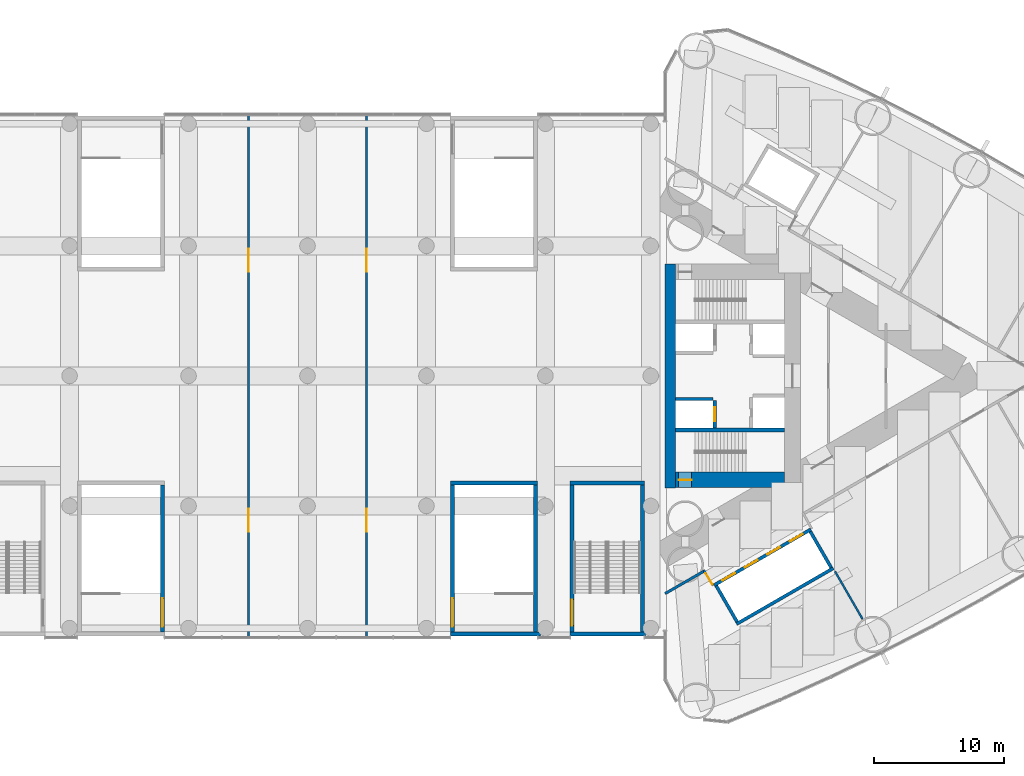
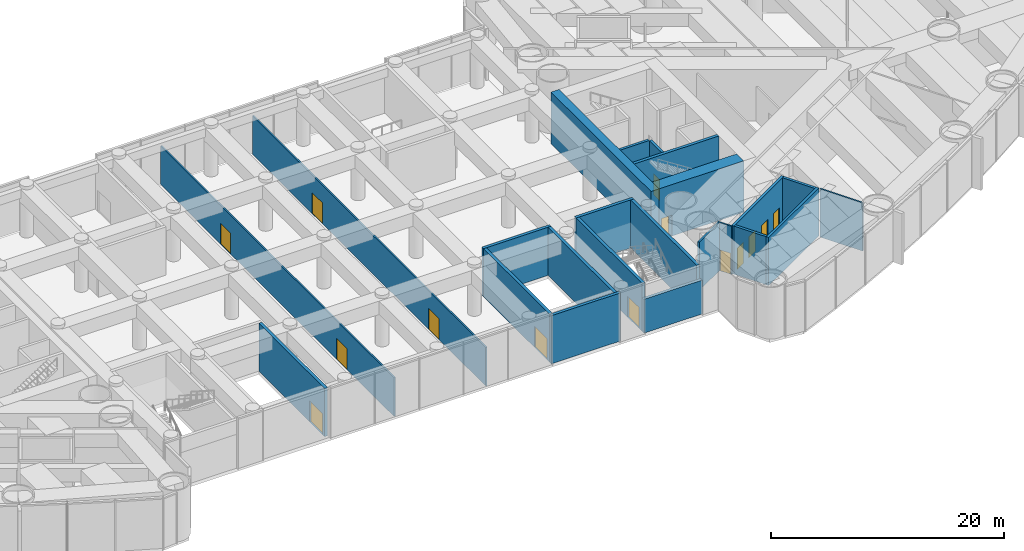
# One storey, part 16 of 20: 23 walls, 14 doors, 14 openings.
"""IFC4 building model written with IfcOpenShell, lengths in metres."""

from ifc_helpers import new_model, si_unit, direction, frame, frame_2d, origin, place, context, subcontext, project, spatial, rectangle, extrude, material, layer, layer_set, type_object, element, fill, save


model = new_model("IFC4")

# Units and contexts
model_context = context("Model", 3, precision=1e-05, world=origin(), true_north=direction((0.0, 1.0)))
body_context = subcontext(model_context, "Body", "Model", "MODEL_VIEW")
ifc_project = project(units=[si_unit("LENGTHUNIT", "METRE"), si_unit("AREAUNIT", "SQUARE_METRE"), si_unit("VOLUMEUNIT", "CUBIC_METRE"), si_unit("PLANEANGLEUNIT", "RADIAN"), si_unit("MASSUNIT", "GRAM", prefix="KILO")], contexts=[model_context])

# Site, building, storey
site_placement = place(None, origin())
site = spatial("IfcSite", under=ifc_project, at=site_placement, CompositionType="ELEMENT")
building_placement = place(site_placement, origin())
building = spatial("IfcBuilding", under=site, at=building_placement, Name="Lancet Gate Hotel", CompositionType="ELEMENT")
storey_placement = place(building_placement, frame((0.0, 0.0, 7.199951171875)))
storey = spatial("IfcBuildingStorey", under=building, at=storey_placement, Name="L01", CompositionType="ELEMENT", Elevation=7.199951171875)

# Wall, opening, door
ifc_material_1 = material(Name="Concrete C70/85", Category="concrete")
ifc_layer_1 = layer(ifc_material_1, 1.199951171875)
ifc_layer_set_1 = layer_set([ifc_layer_1], Name="Core wall 1200")
wall_type_1 = type_object("IfcWallType", Name="Core wall 1200", PredefinedType="SHEAR", material=ifc_layer_set_1)
wall_1_placement = place(storey_placement, frame((28.300048828125, -8.0, 0.0), z_axis=(0.0, 0.0, 1.0), x_axis=(1.0, 0.0, 0.0)))
wall_1 = element("IfcWall", 1, at=wall_1_placement, inside=storey, type_object=wall_type_1, Name="T2 core wall side-S L01", PredefinedType="SHEAR", context=body_context, shape_type="SweptSolid", body=[
    extrude(rectangle(XDim=8.39990234375, YDim=1.199951171875, at=frame_2d((4.199951171875, 0.0))), origin(), (0.0, 0.0, 1.0), 5.400146484375),
])
opening_1_placement = place(wall_1_placement, frame((0.25, 0.0, 0.0)))
opening_1 = element("IfcOpeningElement", 2, at=opening_1_placement, cuts=wall_1, Name="Opening T2-L01-ST1", PredefinedType="OPENING", context=body_context, shape_type="SweptSolid", body=[
    extrude(rectangle(XDim=1.0, YDim=2.199951171875, at=frame_2d((0.5, 1.10009765625))), frame((0.0, 0.60986328125, 0.0), z_axis=(0.0, -1.0, 0.0), x_axis=(1.0, 0.0, 0.0)), (0.0, 0.0, 1.0), 1.219970703125),
])
ifc_material_2 = material(Name="Timber door set", Category="wood")
door_type_1 = type_object("IfcDoorType", Name="Stair door 1000", OperationType="SINGLE_SWING_RIGHT", PredefinedType="DOOR", material=ifc_material_2)
door_1_placement = place(opening_1_placement, origin())
door_1 = element("IfcDoor", 3, at=door_1_placement, inside=storey, type_object=door_type_1, Name="T2-L01-ST1", OperationType="SINGLE_SWING_RIGHT", OverallHeight=2.199951171875, OverallWidth=1.0, PredefinedType="DOOR", context=body_context, shape_type="SweptSolid", body=[
    extrude(rectangle(XDim=1.0, YDim=2.199951171875, at=frame_2d((0.5, 1.10009765625))), frame((0.0, 0.02490234375, 0.0), z_axis=(0.0, -1.0, 0.0), x_axis=(1.0, 0.0, 0.0)), (0.0, 0.0, 1.0), 0.050048828125),
])
fill(opening_1, door_1)

# Walls
ifc_material_3 = material(Name="Concrete C70/85", Category="concrete")
ifc_layer_2 = layer(ifc_material_3, 0.800048828125)
ifc_layer_set_2 = layer_set([ifc_layer_2], Name="Core wall 800")
wall_type_2 = type_object("IfcWallType", Name="Core wall 800", PredefinedType="SHEAR", material=ifc_layer_set_2)
wall_2_placement = place(storey_placement, frame((27.89990234375, -8.60009765625, 0.0), z_axis=(0.0, 0.0, 1.0), x_axis=(0.0, 1.0, 0.0)))
element("IfcWall", 4, at=wall_2_placement, inside=storey, type_object=wall_type_2, Name="T2 core wall front L01", PredefinedType="SHEAR", context=body_context, shape_type="SweptSolid", body=[
    extrude(rectangle(XDim=17.2001953125, YDim=0.800048828125, at=frame_2d((8.60009765625, 0.0))), origin(), (0.0, 0.0, 1.0), 5.400146484375),
])
ifc_material_4 = material(Name="Gypsum board partition")
ifc_layer_3 = layer(ifc_material_4, 0.199951171875)
ifc_layer_set_3 = layer_set([ifc_layer_3], Name="Corridor wall 200")
wall_type_3 = type_object("IfcWallType", Name="Corridor wall 200", PredefinedType="PARTITIONING", material=ifc_layer_set_3)
wall_3_placement = place(storey_placement, frame((27.5, -16.744384765625, 0.0), z_axis=(0.0, 0.0, 1.0), x_axis=(0.866034395887, 0.499984424899, 0.0)))
element("IfcWall", 5, at=wall_3_placement, inside=storey, type_object=wall_type_3, Name="T2 corridor wall 200 L01", PredefinedType="PARTITIONING", context=body_context, shape_type="SweptSolid", body=[
    extrude(rectangle(XDim=3.46875, YDim=0.199951171875, at=frame_2d((1.734375, 0.0))), origin(), (0.0, 0.0, 1.0), 5.050048828125),
])

# Wall, openings, doors
ifc_material_5 = material(Name="Gypsum board partition")
ifc_layer_4 = layer(ifc_material_5, 0.25)
ifc_layer_set_4 = layer_set([ifc_layer_4], Name="Lift shaft partition 250")
wall_type_4 = type_object("IfcWallType", Name="Lift shaft partition 250", PredefinedType="PARTITIONING", material=ifc_layer_set_4)
wall_4_placement = place(storey_placement, frame((31.2705078125, -16.09716796875, 0.0), z_axis=(0.0, 0.0, 1.0), x_axis=(0.86604045752, 0.499973925258, 0.0)))
wall_4 = element("IfcWall", 6, at=wall_4_placement, inside=storey, type_object=wall_type_4, Name="T2 lift shaft wall LR L01", PredefinedType="PARTITIONING", context=body_context, shape_type="SweptSolid", body=[
    extrude(rectangle(XDim=8.60009765625, YDim=0.25, at=frame_2d((4.300048828125, 0.0))), origin(), (0.0, 0.0, 1.0), 5.050048828125),
])
opening_2_placement = place(wall_4_placement, frame((0.75, 0.0, 0.0)))
opening_2 = element("IfcOpeningElement", 7, at=opening_2_placement, cuts=wall_4, Name="Opening T2-LR1-L01", PredefinedType="OPENING", context=body_context, shape_type="SweptSolid", body=[
    extrude(rectangle(XDim=1.10009765625, YDim=2.199951171875, at=frame_2d((0.550048828125, 1.10009765625))), frame((0.0, 0.135009765625, 0.0), z_axis=(0.0, -1.0, 0.0), x_axis=(1.0, 0.0, 0.0)), (0.0, 0.0, 1.0), 0.27001953125),
])
opening_3_placement = place(wall_4_placement, frame((2.75, 0.0, 0.0)))
opening_3 = element("IfcOpeningElement", 8, at=opening_3_placement, cuts=wall_4, Name="Opening T2-LR2-L01", PredefinedType="OPENING", context=body_context, shape_type="SweptSolid", body=[
    extrude(rectangle(XDim=1.10009765625, YDim=2.199951171875, at=frame_2d((0.550048828125, 1.10009765625))), frame((0.0, 0.135009765625, 0.0), z_axis=(0.0, -1.0, 0.0), x_axis=(1.0, 0.0, 0.0)), (0.0, 0.0, 1.0), 0.27001953125),
])
opening_4_placement = place(wall_4_placement, frame((4.75, 0.0, 0.0)))
opening_4 = element("IfcOpeningElement", 9, at=opening_4_placement, cuts=wall_4, Name="Opening T2-LR3-L01", PredefinedType="OPENING", context=body_context, shape_type="SweptSolid", body=[
    extrude(rectangle(XDim=1.10009765625, YDim=2.199951171875, at=frame_2d((0.550048828125, 1.10009765625))), frame((0.0, 0.135009765625, 0.0), z_axis=(0.0, -1.0, 0.0), x_axis=(1.0, 0.0, 0.0)), (0.0, 0.0, 1.0), 0.27001953125),
])
opening_5_placement = place(wall_4_placement, frame((6.75, 0.0, 0.0)))
opening_5 = element("IfcOpeningElement", 10, at=opening_5_placement, cuts=wall_4, Name="Opening T2-LR4-L01", PredefinedType="OPENING", context=body_context, shape_type="SweptSolid", body=[
    extrude(rectangle(XDim=1.10009765625, YDim=2.199951171875, at=frame_2d((0.550048828125, 1.10009765625))), frame((0.0, 0.135009765625, 0.0), z_axis=(0.0, -1.0, 0.0), x_axis=(1.0, 0.0, 0.0)), (0.0, 0.0, 1.0), 0.27001953125),
])
ifc_material_6 = material(Name="Steel door set", Category="steel")
door_type_2 = type_object("IfcDoorType", Name="Lift landing door 1100", OperationType="DOUBLE_DOOR_SLIDING", PredefinedType="USERDEFINED", material=ifc_material_6)
door_2_placement = place(opening_2_placement, origin())
door_2 = element("IfcDoor", 11, at=door_2_placement, inside=storey, type_object=door_type_2, Name="T2-LR1-L01", ObjectType="LIFT LANDING DOOR", OperationType="DOUBLE_DOOR_SLIDING", OverallHeight=2.199951171875, OverallWidth=1.10009765625, PredefinedType="USERDEFINED", context=body_context, shape_type="SweptSolid", body=[
    extrude(rectangle(XDim=1.10009765625, YDim=2.199951171875, at=frame_2d((0.550048828125, 1.10009765625))), frame((0.0, 0.02490234375, 0.0), z_axis=(0.0, -1.0, 0.0), x_axis=(1.0, 0.0, 0.0)), (0.0, 0.0, 1.0), 0.050048828125),
])
fill(opening_2, door_2)
door_3_placement = place(opening_3_placement, origin())
door_3 = element("IfcDoor", 12, at=door_3_placement, inside=storey, type_object=door_type_2, Name="T2-LR2-L01", ObjectType="LIFT LANDING DOOR", OperationType="DOUBLE_DOOR_SLIDING", OverallHeight=2.199951171875, OverallWidth=1.10009765625, PredefinedType="USERDEFINED", context=body_context, shape_type="SweptSolid", body=[
    extrude(rectangle(XDim=1.10009765625, YDim=2.199951171875, at=frame_2d((0.550048828125, 1.10009765625))), frame((0.0, 0.02490234375, 0.0), z_axis=(0.0, -1.0, 0.0), x_axis=(1.0, 0.0, 0.0)), (0.0, 0.0, 1.0), 0.050048828125),
])
fill(opening_3, door_3)
door_4_placement = place(opening_4_placement, origin())
door_4 = element("IfcDoor", 13, at=door_4_placement, inside=storey, type_object=door_type_2, Name="T2-LR3-L01", ObjectType="LIFT LANDING DOOR", OperationType="DOUBLE_DOOR_SLIDING", OverallHeight=2.199951171875, OverallWidth=1.10009765625, PredefinedType="USERDEFINED", context=body_context, shape_type="SweptSolid", body=[
    extrude(rectangle(XDim=1.10009765625, YDim=2.199951171875, at=frame_2d((0.550048828125, 1.10009765625))), frame((0.0, 0.02490234375, 0.0), z_axis=(0.0, -1.0, 0.0), x_axis=(1.0, 0.0, 0.0)), (0.0, 0.0, 1.0), 0.050048828125),
])
fill(opening_4, door_4)
door_5_placement = place(opening_5_placement, origin())
door_5 = element("IfcDoor", 14, at=door_5_placement, inside=storey, type_object=door_type_2, Name="T2-LR4-L01", ObjectType="LIFT LANDING DOOR", OperationType="DOUBLE_DOOR_SLIDING", OverallHeight=2.199951171875, OverallWidth=1.10009765625, PredefinedType="USERDEFINED", context=body_context, shape_type="SweptSolid", body=[
    extrude(rectangle(XDim=1.10009765625, YDim=2.199951171875, at=frame_2d((0.550048828125, 1.10009765625))), frame((0.0, 0.02490234375, 0.0), z_axis=(0.0, -1.0, 0.0), x_axis=(1.0, 0.0, 0.0)), (0.0, 0.0, 1.0), 0.050048828125),
])
fill(opening_5, door_5)

# Walls
wall_5_placement = place(storey_placement, frame((32.99560546875, -19.085693359375, 0.0), z_axis=(0.0, 0.0, 1.0), x_axis=(0.866028165386, 0.499995216735, 0.0)))
element("IfcWall", 15, at=wall_5_placement, inside=storey, type_object=wall_type_4, Name="T2 lift shaft wall LR L01", PredefinedType="PARTITIONING", context=body_context, shape_type="SweptSolid", body=[
    extrude(rectangle(XDim=8.60009765625, YDim=0.25, at=frame_2d((4.300048828125, 0.0))), origin(), (0.0, 0.0, 1.0), 5.050048828125),
])
for number, where, z_axis, x_axis, name in (
    (16, (31.441162109375, -16.14306640625, 0.0), (0.0, 0.0, 1.0), (0.499929347863, -0.866066190972, 0.0), "T2 lift shaft wall LR L01"),
    (17, (38.672607421875, -11.968017578125, 0.0), (0.0, 0.0, 1.0), (0.499929347863, -0.866066190972, 0.0), "T2 lift shaft wall LR L01"),
):
    element("IfcWall", number, at=place(storey_placement, frame(where, z_axis=z_axis, x_axis=x_axis)), inside=storey, type_object=wall_type_4, Name=name, PredefinedType="PARTITIONING", context=body_context, shape_type="SweptSolid", body=[
        extrude(rectangle(XDim=3.20068359375, YDim=0.25, at=frame_2d((1.600341796875, 0.0))), origin(), (0.0, 0.0, 1.0), 5.050048828125),
    ])

# Wall, opening, door
ifc_material_7 = material(Name="Concrete C50/60", Category="concrete")
ifc_layer_5 = layer(ifc_material_7, 0.25)
ifc_layer_set_5 = layer_set([ifc_layer_5], Name="Lift shaft wall 250")
wall_type_5 = type_object("IfcWallType", Name="Lift shaft wall 250", PredefinedType="SHEAR", material=ifc_layer_set_5)
wall_6_placement = place(storey_placement, frame((31.324951171875, -4.0, 0.0), z_axis=(0.0, 0.0, 1.0), x_axis=(0.0, 1.0, 0.0)))
wall_6 = element("IfcWall", 18, at=wall_6_placement, inside=storey, type_object=wall_type_5, Name="T2 core wall row1-S L01", PredefinedType="SHEAR", context=body_context, shape_type="SweptSolid", body=[
    extrude(rectangle(XDim=2.10009765625, YDim=0.25, at=frame_2d((1.050048828125, 0.0))), origin(), (0.0, 0.0, 1.0), 5.400146484375),
])
opening_6_placement = place(wall_6_placement, frame((0.5, 0.0, 0.0)))
opening_6 = element("IfcOpeningElement", 19, at=opening_6_placement, cuts=wall_6, Name="Opening T2-SL1-L01", PredefinedType="OPENING", context=body_context, shape_type="SweptSolid", body=[
    extrude(rectangle(XDim=1.10009765625, YDim=2.199951171875, at=frame_2d((0.550048828125, 1.10009765625))), frame((0.0, 0.135009765625, 0.0), z_axis=(0.0, -1.0, 0.0), x_axis=(1.0, 0.0, 0.0)), (0.0, 0.0, 1.0), 0.27001953125),
])
ifc_material_8 = material(Name="Timber door set", Category="wood")
door_type_3 = type_object("IfcDoorType", Name="Service lift landing door 1100", OperationType="SLIDING_TO_LEFT", PredefinedType="USERDEFINED", material=ifc_material_8)
door_6_placement = place(opening_6_placement, origin())
door_6 = element("IfcDoor", 20, at=door_6_placement, inside=storey, type_object=door_type_3, Name="T2-SL1-L01", ObjectType="LIFT LANDING DOOR", OperationType="SLIDING_TO_LEFT", OverallHeight=2.199951171875, OverallWidth=1.10009765625, PredefinedType="USERDEFINED", context=body_context, shape_type="SweptSolid", body=[
    extrude(rectangle(XDim=1.10009765625, YDim=2.199951171875, at=frame_2d((0.550048828125, 1.10009765625))), frame((0.0, 0.02490234375, 0.0), z_axis=(0.0, -1.0, 0.0), x_axis=(1.0, 0.0, 0.0)), (0.0, 0.0, 1.0), 0.050048828125),
])
fill(opening_6, door_6)

# Walls
wall_7_placement = place(storey_placement, frame((28.300048828125, -1.77490234375, 0.0), z_axis=(0.0, 0.0, 1.0), x_axis=(1.0, 0.0, 0.0)))
element("IfcWall", 21, at=wall_7_placement, inside=storey, type_object=wall_type_5, Name="T2 core wall pass1-S L01", PredefinedType="SHEAR", context=body_context, shape_type="SweptSolid", body=[
    extrude(rectangle(XDim=2.89990234375, YDim=0.25, at=frame_2d((1.449951171875, 0.0))), origin(), (0.0, 0.0, 1.0), 5.400146484375),
])
ifc_material_9 = material(Name="Gypsum board partition")
ifc_layer_6 = layer(ifc_material_9, 0.14990234375)
ifc_layer_set_6 = layer_set([ifc_layer_6], Name="Party wall 150")
wall_type_6 = type_object("IfcWallType", Name="Party wall 150", PredefinedType="PARTITIONING", material=ifc_layer_set_6)
wall_8_placement = place(storey_placement, frame((40.5703125, -15.030029296875, 0.0), z_axis=(0.0, 0.0, 1.0), x_axis=(0.500012993597, -0.866017901798, 0.0)))
element("IfcWall", 22, at=wall_8_placement, inside=storey, type_object=wall_type_6, Name="T2 party wall 150 L01", PredefinedType="PARTITIONING", context=body_context, shape_type="SweptSolid", body=[
    extrude(rectangle(XDim=4.2431640625, YDim=0.14990234375, at=frame_2d((2.12158203125, 0.0))), origin(), (0.0, 0.0, 1.0), 5.050048828125),
])
ifc_material_10 = material(Name="Dense concrete blockwork", Category="masonry")
ifc_layer_7 = layer(ifc_material_10, 0.300048828125)
ifc_layer_set_7 = layer_set([ifc_layer_7], Name="Podium stair enclosure wall 300")
wall_type_7 = type_object("IfcWallType", Name="Podium stair enclosure wall 300", PredefinedType="SOLIDWALL", material=ifc_layer_set_7)
wall_9_placement = place(storey_placement, frame((17.903076171875, -19.85009765625, 0.0), z_axis=(0.0, 0.0, 1.0), x_axis=(-1.0, 0.0, 0.0)))
element("IfcWall", 23, at=wall_9_placement, inside=storey, type_object=wall_type_7, Name="Podium stair PS1 encl wall outer L01", PredefinedType="SOLIDWALL", context=body_context, shape_type="SweptSolid", body=[
    extrude(rectangle(XDim=6.903076171875, YDim=0.300048828125, at=frame_2d((3.45166015625, 0.0))), origin(), (0.0, 0.0, 1.0), 5.050048828125),
])
wall_10_placement = place(storey_placement, frame((11.0, -8.22998046875, 0.0), z_axis=(0.0, 0.0, 1.0), x_axis=(1.0, 0.0, 0.0)))
element("IfcWall", 24, at=wall_10_placement, inside=storey, type_object=wall_type_7, Name="Podium stair PS1 encl wall inner L01", PredefinedType="SOLIDWALL", context=body_context, shape_type="SweptSolid", body=[
    extrude(rectangle(XDim=6.699951171875, YDim=0.300048828125, at=frame_2d((3.35009765625, 0.0))), origin(), (0.0, 0.0, 1.0), 5.050048828125),
])

# Wall, opening, door
wall_11_placement = place(storey_placement, frame((11.14990234375, -8.3798828125, 0.0), z_axis=(0.0, 0.0, 1.0), x_axis=(0.0, -1.0, 0.0)))
wall_11 = element("IfcWall", 25, at=wall_11_placement, inside=storey, type_object=wall_type_7, Name="Podium stair PS1 encl wall near L01", PredefinedType="SOLIDWALL", context=body_context, shape_type="SweptSolid", body=[
    extrude(rectangle(XDim=11.320068359375, YDim=0.300048828125, at=frame_2d((5.66015625, 0.0))), origin(), (0.0, 0.0, 1.0), 5.050048828125),
])
opening_7_placement = place(wall_11_placement, frame((8.719970703125, 0.0, 0.0)))
opening_7 = element("IfcOpeningElement", 26, at=opening_7_placement, cuts=wall_11, Name="Opening POD-L01-PS1", PredefinedType="OPENING", context=body_context, shape_type="SweptSolid", body=[
    extrude(rectangle(XDim=2.199951171875, YDim=2.199951171875, at=frame_2d((1.10009765625, 1.10009765625))), frame((0.0, 0.159912109375, 0.0), z_axis=(0.0, -1.0, 0.0), x_axis=(1.0, 0.0, 0.0)), (0.0, 0.0, 1.0), 0.320068359375),
])
ifc_material_11 = material(Name="Timber door set", Category="wood")
door_type_4 = type_object("IfcDoorType", Name="Stair double door 2200", OperationType="DOUBLE_DOOR_SINGLE_SWING", PredefinedType="DOOR", material=ifc_material_11)
door_7_placement = place(opening_7_placement, origin())
door_7 = element("IfcDoor", 27, at=door_7_placement, inside=storey, type_object=door_type_4, Name="POD-L01-PS1", OperationType="DOUBLE_DOOR_SINGLE_SWING", OverallHeight=2.199951171875, OverallWidth=2.199951171875, PredefinedType="DOOR", context=body_context, shape_type="SweptSolid", body=[
    extrude(rectangle(XDim=2.199951171875, YDim=2.199951171875, at=frame_2d((1.10009765625, 1.10009765625))), frame((0.0, 0.02490234375, 0.0), z_axis=(0.0, -1.0, 0.0), x_axis=(1.0, 0.0, 0.0)), (0.0, 0.0, 1.0), 0.050048828125),
])
fill(opening_7, door_7)

# Wall
wall_12_placement = place(storey_placement, frame((17.550048828125, -8.3798828125, 0.0), z_axis=(0.0, 0.0, 1.0), x_axis=(0.0, -1.0, 0.0)))
element("IfcWall", 28, at=wall_12_placement, inside=storey, type_object=wall_type_7, Name="Podium stair PS1 encl wall far L01", PredefinedType="SOLIDWALL", context=body_context, shape_type="SweptSolid", body=[
    extrude(rectangle(XDim=11.320068359375, YDim=0.300048828125, at=frame_2d((5.66015625, 0.0))), origin(), (0.0, 0.0, 1.0), 5.050048828125),
])

# Wall, opening, door
wall_13_placement = place(storey_placement, frame((-11.14990234375, -8.3798828125, 0.0), z_axis=(0.0, 0.0, 1.0), x_axis=(0.0, -1.0, 0.0)))
wall_13 = element("IfcWall", 29, at=wall_13_placement, inside=storey, type_object=wall_type_7, Name="Podium stair PS3 encl wall near L01", PredefinedType="SOLIDWALL", context=body_context, shape_type="SweptSolid", body=[
    extrude(rectangle(XDim=11.320068359375, YDim=0.300048828125, at=frame_2d((5.66015625, 0.0))), origin(), (0.0, 0.0, 1.0), 5.050048828125),
])
opening_8_placement = place(wall_13_placement, frame((8.719970703125, 0.0, 0.0)))
opening_8 = element("IfcOpeningElement", 30, at=opening_8_placement, cuts=wall_13, Name="Opening POD-L01-PS3", PredefinedType="OPENING", context=body_context, shape_type="SweptSolid", body=[
    extrude(rectangle(XDim=2.199951171875, YDim=2.199951171875, at=frame_2d((1.10009765625, 1.10009765625))), frame((0.0, 0.159912109375, 0.0), z_axis=(0.0, -1.0, 0.0), x_axis=(1.0, 0.0, 0.0)), (0.0, 0.0, 1.0), 0.320068359375),
])
door_8_placement = place(opening_8_placement, origin())
door_8 = element("IfcDoor", 31, at=door_8_placement, inside=storey, type_object=door_type_4, Name="POD-L01-PS3", OperationType="DOUBLE_DOOR_SINGLE_SWING", OverallHeight=2.199951171875, OverallWidth=2.199951171875, PredefinedType="DOOR", context=body_context, shape_type="SweptSolid", body=[
    extrude(rectangle(XDim=2.199951171875, YDim=2.199951171875, at=frame_2d((1.10009765625, 1.10009765625))), frame((0.0, 0.02490234375, 0.0), z_axis=(0.0, -1.0, 0.0), x_axis=(1.0, 0.0, 0.0)), (0.0, 0.0, 1.0), 0.050048828125),
])
fill(opening_8, door_8)

# Walls
wall_14_placement = place(storey_placement, frame((26.003173828125, -19.85009765625, 0.0), z_axis=(0.0, 0.0, 1.0), x_axis=(-1.0, 0.0, 0.0)))
element("IfcWall", 32, at=wall_14_placement, inside=storey, type_object=wall_type_7, Name="Podium stair PS5 encl wall outer L01", PredefinedType="SOLIDWALL", context=body_context, shape_type="SweptSolid", body=[
    extrude(rectangle(XDim=5.80322265625, YDim=0.300048828125, at=frame_2d((2.901611328125, 0.0))), origin(), (0.0, 0.0, 1.0), 3.550048828125),
])
wall_15_placement = place(storey_placement, frame((20.199951171875, -8.22998046875, 0.0), z_axis=(0.0, 0.0, 1.0), x_axis=(1.0, 0.0, 0.0)))
element("IfcWall", 33, at=wall_15_placement, inside=storey, type_object=wall_type_7, Name="Podium stair PS5 encl wall inner L01", PredefinedType="SOLIDWALL", context=body_context, shape_type="SweptSolid", body=[
    extrude(rectangle(XDim=5.699951171875, YDim=0.300048828125, at=frame_2d((2.85009765625, 0.0))), origin(), (0.0, 0.0, 1.0), 5.050048828125),
])

# Wall, opening, door
wall_16_placement = place(storey_placement, frame((20.35009765625, -8.3798828125, 0.0), z_axis=(0.0, 0.0, 1.0), x_axis=(0.0, -1.0, 0.0)))
wall_16 = element("IfcWall", 34, at=wall_16_placement, inside=storey, type_object=wall_type_7, Name="Podium stair PS5 encl wall near L01", PredefinedType="SOLIDWALL", context=body_context, shape_type="SweptSolid", body=[
    extrude(rectangle(XDim=11.320068359375, YDim=0.300048828125, at=frame_2d((5.66015625, 0.0))), origin(), (0.0, 0.0, 1.0), 5.050048828125),
])
opening_9_placement = place(wall_16_placement, frame((8.820068359375, 0.0, 0.0)))
opening_9 = element("IfcOpeningElement", 35, at=opening_9_placement, cuts=wall_16, Name="Opening POD-L01-PS5", PredefinedType="OPENING", context=body_context, shape_type="SweptSolid", body=[
    extrude(rectangle(XDim=2.0, YDim=2.199951171875, at=frame_2d((1.0, 1.10009765625))), frame((0.0, 0.159912109375, 0.0), z_axis=(0.0, -1.0, 0.0), x_axis=(1.0, 0.0, 0.0)), (0.0, 0.0, 1.0), 0.320068359375),
])
ifc_material_12 = material(Name="Timber door set", Category="wood")
door_type_5 = type_object("IfcDoorType", Name="Stair double door 2000", OperationType="DOUBLE_DOOR_SINGLE_SWING", PredefinedType="DOOR", material=ifc_material_12)
door_9_placement = place(opening_9_placement, origin())
door_9 = element("IfcDoor", 36, at=door_9_placement, inside=storey, type_object=door_type_5, Name="POD-L01-PS5", OperationType="DOUBLE_DOOR_SINGLE_SWING", OverallHeight=2.199951171875, OverallWidth=2.0, PredefinedType="DOOR", context=body_context, shape_type="SweptSolid", body=[
    extrude(rectangle(XDim=2.0, YDim=2.199951171875, at=frame_2d((1.0, 1.10009765625))), frame((0.0, 0.02490234375, 0.0), z_axis=(0.0, -1.0, 0.0), x_axis=(1.0, 0.0, 0.0)), (0.0, 0.0, 1.0), 0.050048828125),
])
fill(opening_9, door_9)

# Wall
wall_17_placement = place(storey_placement, frame((25.75, -8.3798828125, 0.0), z_axis=(0.0, 0.0, 1.0), x_axis=(0.0, -1.0, 0.0)))
element("IfcWall", 37, at=wall_17_placement, inside=storey, type_object=wall_type_7, Name="Podium stair PS5 encl wall far L01", PredefinedType="SOLIDWALL", context=body_context, shape_type="SweptSolid", body=[
    extrude(rectangle(XDim=11.320068359375, YDim=0.300048828125, at=frame_2d((5.66015625, 0.0))), origin(), (0.0, 0.0, 1.0), 5.050048828125),
])

# Wall, opening, door
ifc_material_13 = material(Name="Gypsum board partition")
ifc_layer_8 = layer(ifc_material_13, 0.14990234375)
ifc_layer_set_8 = layer_set([ifc_layer_8], Name="Service room wall 150")
wall_type_8 = type_object("IfcWallType", Name="Service room wall 150", PredefinedType="PARTITIONING", material=ifc_layer_set_8)
wall_18_placement = place(storey_placement, frame((30.46728515625, -14.915771484375, 0.0), z_axis=(0.0, 0.0, 1.0), x_axis=(0.518297865337, -0.855200165334, 0.0)))
wall_18 = element("IfcWall", 38, at=wall_18_placement, inside=storey, type_object=wall_type_8, Name="T2 service room wall 150 L01", PredefinedType="PARTITIONING", context=body_context, shape_type="SweptSolid", body=[
    extrude(rectangle(XDim=1.405029296875, YDim=0.14990234375, at=frame_2d((0.70263671875, 0.0))), origin(), (0.0, 0.0, 1.0), 5.050048828125),
])
opening_10_placement = place(wall_18_placement, frame((0.302978515625, 0.0, 0.0)))
opening_10 = element("IfcOpeningElement", 39, at=opening_10_placement, cuts=wall_18, Name="Opening T2-L01-P101", PredefinedType="OPENING", context=body_context, shape_type="SweptSolid", body=[
    extrude(rectangle(XDim=1.0, YDim=2.199951171875, at=frame_2d((0.5, 1.10009765625))), frame((0.0, 0.0849609375, 0.0), z_axis=(0.0, -1.0, 0.0), x_axis=(1.0, 0.0, 0.0)), (0.0, 0.0, 1.0), 0.169921875),
])
ifc_material_14 = material(Name="Timber door set", Category="wood")
door_type_6 = type_object("IfcDoorType", Name="Service door 1000", OperationType="SINGLE_SWING_LEFT", PredefinedType="DOOR", material=ifc_material_14)
door_10_placement = place(opening_10_placement, origin())
door_10 = element("IfcDoor", 40, at=door_10_placement, inside=storey, type_object=door_type_6, Name="T2-L01-P101", OperationType="SINGLE_SWING_LEFT", OverallHeight=2.199951171875, OverallWidth=1.0, PredefinedType="DOOR", context=body_context, shape_type="SweptSolid", body=[
    extrude(rectangle(XDim=1.0, YDim=2.199951171875, at=frame_2d((0.5, 1.10009765625))), frame((0.0, 0.02490234375, 0.0), z_axis=(0.0, -1.0, 0.0), x_axis=(1.0, 0.0, 0.0)), (0.0, 0.0, 1.0), 0.050048828125),
])
fill(opening_10, door_10)

# Wall, openings, doors
wall_19_placement = place(storey_placement, frame((-4.550048828125, -20.06005859375, 0.0), z_axis=(0.0, 0.0, 1.0), x_axis=(0.0, 1.0, 0.0)))
wall_19 = element("IfcWall", 41, at=wall_19_placement, inside=storey, type_object=wall_type_8, Name="Podium partition L01", PredefinedType="PARTITIONING", context=body_context, shape_type="SweptSolid", body=[
    extrude(rectangle(XDim=40.1201171875, YDim=0.14990234375, at=frame_2d((20.06005859375, 0.0))), origin(), (0.0, 0.0, 1.0), 4.050048828125),
])
opening_11_placement = place(wall_19_placement, frame((8.06005859375, 0.0, 0.0)))
opening_11 = element("IfcOpeningElement", 42, at=opening_11_placement, cuts=wall_19, Name="Opening POD-L01-D00", PredefinedType="OPENING", context=body_context, shape_type="SweptSolid", body=[
    extrude(rectangle(XDim=1.800048828125, YDim=2.199951171875, at=frame_2d((0.89990234375, 1.10009765625))), frame((0.0, 0.0849609375, 0.0), z_axis=(0.0, -1.0, 0.0), x_axis=(1.0, 0.0, 0.0)), (0.0, 0.0, 1.0), 0.169921875),
])
opening_12_placement = place(wall_19_placement, frame((28.06005859375, 0.0, 0.0)))
opening_12 = element("IfcOpeningElement", 43, at=opening_12_placement, cuts=wall_19, Name="Opening POD-L01-D01", PredefinedType="OPENING", context=body_context, shape_type="SweptSolid", body=[
    extrude(rectangle(XDim=1.800048828125, YDim=2.199951171875, at=frame_2d((0.89990234375, 1.10009765625))), frame((0.0, 0.0849609375, 0.0), z_axis=(0.0, -1.0, 0.0), x_axis=(1.0, 0.0, 0.0)), (0.0, 0.0, 1.0), 0.169921875),
])
ifc_material_15 = material(Name="Timber door set", Category="wood")
door_type_7 = type_object("IfcDoorType", Name="Double door 1800", OperationType="DOUBLE_DOOR_SINGLE_SWING", PredefinedType="DOOR", material=ifc_material_15)
door_11_placement = place(opening_11_placement, origin())
door_11 = element("IfcDoor", 44, at=door_11_placement, inside=storey, type_object=door_type_7, Name="POD-L01-D00", OperationType="DOUBLE_DOOR_SINGLE_SWING", OverallHeight=2.199951171875, OverallWidth=1.800048828125, PredefinedType="DOOR", context=body_context, shape_type="SweptSolid", body=[
    extrude(rectangle(XDim=1.800048828125, YDim=2.199951171875, at=frame_2d((0.89990234375, 1.10009765625))), frame((0.0, 0.02490234375, 0.0), z_axis=(0.0, -1.0, 0.0), x_axis=(1.0, 0.0, 0.0)), (0.0, 0.0, 1.0), 0.050048828125),
])
fill(opening_11, door_11)
door_12_placement = place(opening_12_placement, origin())
door_12 = element("IfcDoor", 45, at=door_12_placement, inside=storey, type_object=door_type_7, Name="POD-L01-D01", OperationType="DOUBLE_DOOR_SINGLE_SWING", OverallHeight=2.199951171875, OverallWidth=1.800048828125, PredefinedType="DOOR", context=body_context, shape_type="SweptSolid", body=[
    extrude(rectangle(XDim=1.800048828125, YDim=2.199951171875, at=frame_2d((0.89990234375, 1.10009765625))), frame((0.0, 0.02490234375, 0.0), z_axis=(0.0, -1.0, 0.0), x_axis=(1.0, 0.0, 0.0)), (0.0, 0.0, 1.0), 0.050048828125),
])
fill(opening_12, door_12)

wall_20_placement = place(storey_placement, frame((4.550048828125, -20.06005859375, 0.0), z_axis=(0.0, 0.0, 1.0), x_axis=(0.0, 1.0, 0.0)))
wall_20 = element("IfcWall", 46, at=wall_20_placement, inside=storey, type_object=wall_type_8, Name="Podium partition L01", PredefinedType="PARTITIONING", context=body_context, shape_type="SweptSolid", body=[
    extrude(rectangle(XDim=40.1201171875, YDim=0.14990234375, at=frame_2d((20.06005859375, 0.0))), origin(), (0.0, 0.0, 1.0), 4.050048828125),
])
opening_13_placement = place(wall_20_placement, frame((8.06005859375, 0.0, 0.0)))
opening_13 = element("IfcOpeningElement", 47, at=opening_13_placement, cuts=wall_20, Name="Opening POD-L01-D10", PredefinedType="OPENING", context=body_context, shape_type="SweptSolid", body=[
    extrude(rectangle(XDim=1.800048828125, YDim=2.199951171875, at=frame_2d((0.89990234375, 1.10009765625))), frame((0.0, 0.0849609375, 0.0), z_axis=(0.0, -1.0, 0.0), x_axis=(1.0, 0.0, 0.0)), (0.0, 0.0, 1.0), 0.169921875),
])
opening_14_placement = place(wall_20_placement, frame((28.06005859375, 0.0, 0.0)))
opening_14 = element("IfcOpeningElement", 48, at=opening_14_placement, cuts=wall_20, Name="Opening POD-L01-D11", PredefinedType="OPENING", context=body_context, shape_type="SweptSolid", body=[
    extrude(rectangle(XDim=1.800048828125, YDim=2.199951171875, at=frame_2d((0.89990234375, 1.10009765625))), frame((0.0, 0.0849609375, 0.0), z_axis=(0.0, -1.0, 0.0), x_axis=(1.0, 0.0, 0.0)), (0.0, 0.0, 1.0), 0.169921875),
])
door_13_placement = place(opening_13_placement, origin())
door_13 = element("IfcDoor", 49, at=door_13_placement, inside=storey, type_object=door_type_7, Name="POD-L01-D10", OperationType="DOUBLE_DOOR_SINGLE_SWING", OverallHeight=2.199951171875, OverallWidth=1.800048828125, PredefinedType="DOOR", context=body_context, shape_type="SweptSolid", body=[
    extrude(rectangle(XDim=1.800048828125, YDim=2.199951171875, at=frame_2d((0.89990234375, 1.10009765625))), frame((0.0, 0.02490234375, 0.0), z_axis=(0.0, -1.0, 0.0), x_axis=(1.0, 0.0, 0.0)), (0.0, 0.0, 1.0), 0.050048828125),
])
fill(opening_13, door_13)
door_14_placement = place(opening_14_placement, origin())
door_14 = element("IfcDoor", 50, at=door_14_placement, inside=storey, type_object=door_type_7, Name="POD-L01-D11", OperationType="DOUBLE_DOOR_SINGLE_SWING", OverallHeight=2.199951171875, OverallWidth=1.800048828125, PredefinedType="DOOR", context=body_context, shape_type="SweptSolid", body=[
    extrude(rectangle(XDim=1.800048828125, YDim=2.199951171875, at=frame_2d((0.89990234375, 1.10009765625))), frame((0.0, 0.02490234375, 0.0), z_axis=(0.0, -1.0, 0.0), x_axis=(1.0, 0.0, 0.0)), (0.0, 0.0, 1.0), 0.050048828125),
])
fill(opening_14, door_14)

# Wall
ifc_material_16 = material(Name="Concrete C50/60", Category="concrete")
ifc_layer_9 = layer(ifc_material_16, 0.300048828125)
ifc_layer_set_9 = layer_set([ifc_layer_9], Name="Stair enclosure wall 300")
wall_type_9 = type_object("IfcWallType", Name="Stair enclosure wall 300", PredefinedType="SHEAR", material=ifc_layer_set_9)
wall_21_placement = place(storey_placement, frame((28.300048828125, -4.14990234375, 0.0), z_axis=(0.0, 0.0, 1.0), x_axis=(1.0, 0.0, 0.0)))
element("IfcWall", 51, at=wall_21_placement, inside=storey, type_object=wall_type_9, Name="T2 core wall stair-S L01", PredefinedType="SHEAR", context=body_context, shape_type="SweptSolid", body=[
    extrude(rectangle(XDim=8.39990234375, YDim=0.300048828125, at=frame_2d((4.199951171875, 0.0))), origin(), (0.0, 0.0, 1.0), 5.400146484375),
])

save(model, "model.ifc")
